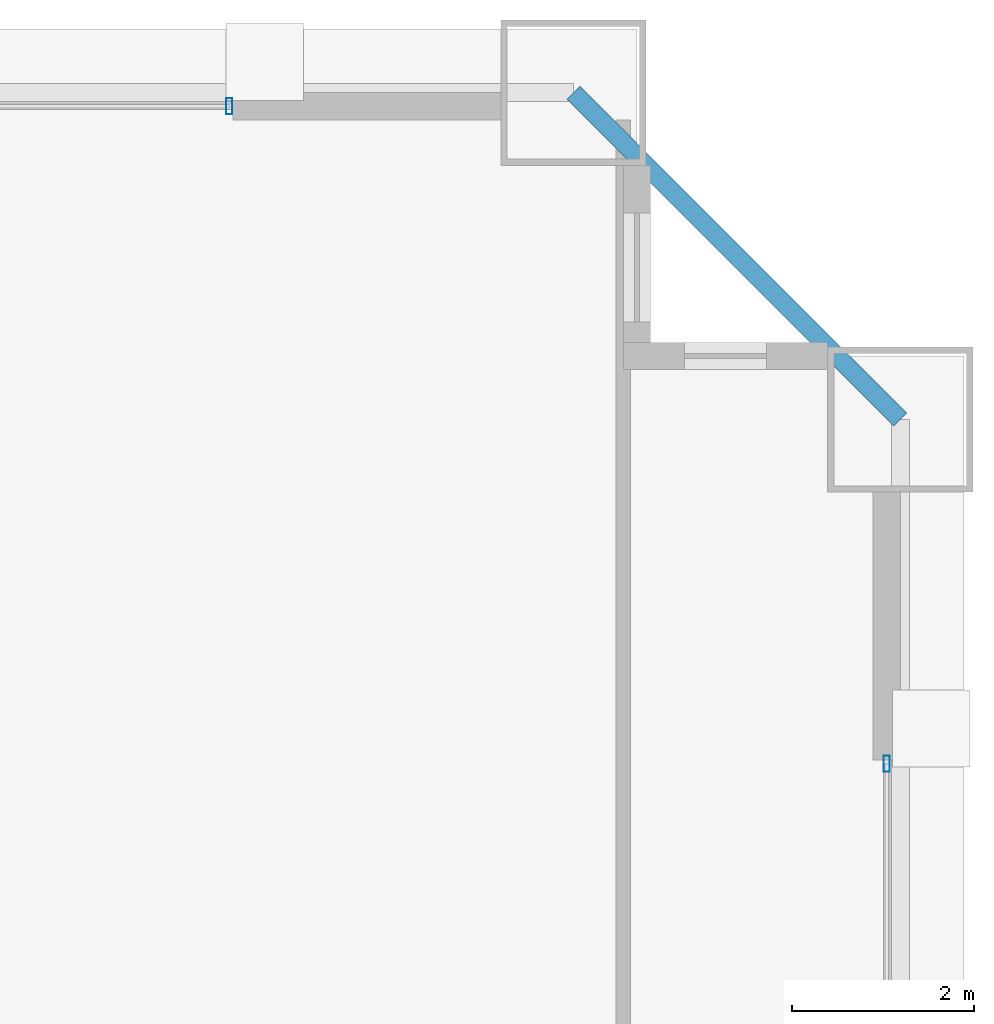
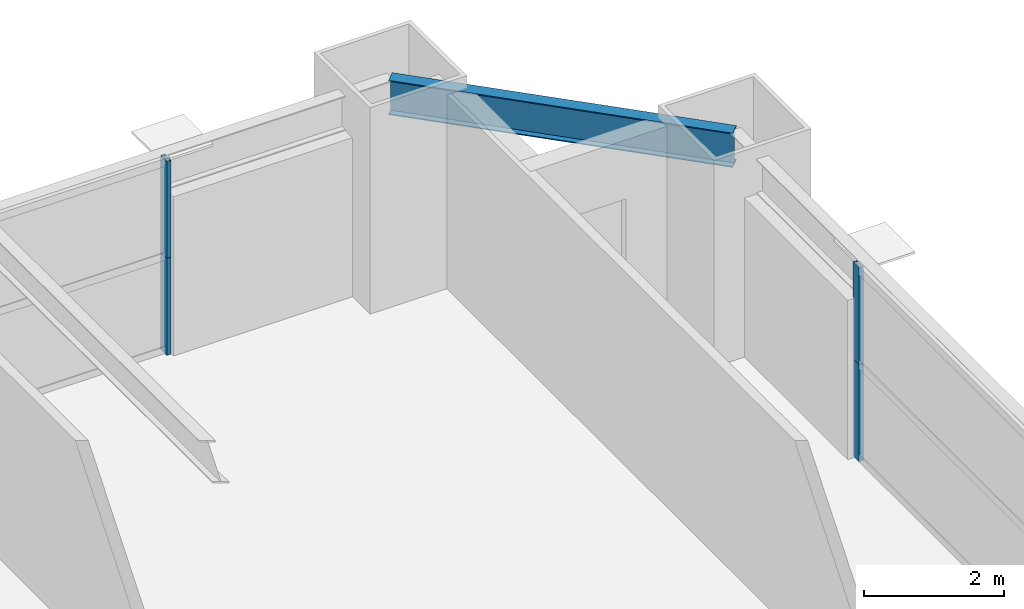
# One storey, part 32 of 38: 4 members, 1 beam, 2 elements without a shape of their own.
"""IFC4 building model written with IfcOpenShell, lengths in metres."""

from ifc_helpers import new_model, si_unit, direction, frame, origin, origin_2d, place, context, subcontext, project, spatial, hollow_rectangle, i_section, extrude, source, transform, mapped, material, layer, layer_set, material_profile, profile_set, type_object, element, aggregate, save


model = new_model("IFC4")

# Units and contexts
model_context = context("Model", 3, precision=1e-05, world=origin(), true_north=direction((0.0, 1.0)))
body_context = subcontext(model_context, "Body", "Model", "MODEL_VIEW")
ifc_project = project(units=[si_unit("LENGTHUNIT", "METRE"), si_unit("AREAUNIT", "SQUARE_METRE"), si_unit("VOLUMEUNIT", "CUBIC_METRE"), si_unit("PLANEANGLEUNIT", "RADIAN"), si_unit("MASSUNIT", "GRAM", prefix="KILO"), si_unit("THERMODYNAMICTEMPERATUREUNIT", "KELVIN"), si_unit("POWERUNIT", "WATT")], contexts=[model_context])

# Site, building, storey
site_placement = place(None, origin())
site = spatial("IfcSite", under=ifc_project, at=site_placement, CompositionType="ELEMENT")
building_placement = place(site_placement, origin())
building = spatial("IfcBuilding", under=site, at=building_placement, Name="Yuzanri Waterfront Tower", CompositionType="ELEMENT")
storey_placement = place(building_placement, frame((0.0, 0.0, 119.0)))
storey = spatial("IfcBuildingStorey", under=building, at=storey_placement, Name="L31", CompositionType="ELEMENT", Elevation=119.0)

# Beam
ifc_material_1 = material(Name="Steel Q355B", Category="steel")
ifc_material_profile_1 = material_profile(ifc_material_1, i_section(OverallWidth=0.199951171875, OverallDepth=0.60009765625, WebThickness=0.010986328125, FlangeThickness=0.01708984375, at=origin_2d()), Name="HN 600x200x11x17")
ifc_profile_set_1 = profile_set([ifc_material_profile_1], Name="Steel Q355B")
beam_type = type_object("IfcBeamType", Name="Perimeter Spandrel Q355B HN 600x200", PredefinedType="SPANDREL", material=ifc_profile_set_1)
shared_shape_1 = source(origin(), body_context, "Body", "SweptSolid", [
    extrude(i_section(OverallWidth=0.199951171875, OverallDepth=0.60009765625, WebThickness=0.010986328125, FlangeThickness=0.01708984375, at=origin_2d()), origin(), (0.0, 0.0, 1.0), 5.091064453125),
])
beam_placement = place(storey_placement, frame((60.60009765625, 45.800048828125, 3.080078125), z_axis=(-0.707130757816, 0.707082803744, 0.0), x_axis=(-0.707082803744, -0.707130757816, 0.0)))
element("IfcBeam", 1, at=beam_placement, inside=storey, type_object=beam_type, Name="L31 Perimeter Spandrel E3-N3", PredefinedType="SPANDREL", context=body_context, shape_type="MappedRepresentation", body=[
    mapped(shared_shape_1, transform((0.0, 0.0, 0.0), scale=1.0)),
])

# Curtain wall, members
ifc_material_2 = material(Name="Anodized Architectural Bronze", Category="metal")
ifc_layer = layer(ifc_material_2, 0.159912109375)
ifc_layer_set = layer_set([ifc_layer], Name="Anodized Architectural Bronze")
curtain_wall_type = type_object("IfcCurtainWallType", Name="Anodized Bronze Hotel Upper-Tier Solar-Control Unitized Curtain Wall 7800", PredefinedType="NOTDEFINED", material=ifc_layer_set)
curtain_wall_1_placement = place(storey_placement, origin())
curtain_wall_1 = element("IfcCurtainWall", 2, at=curtain_wall_1_placement, inside=storey, type_object=curtain_wall_type, Name="L31 Curtain Wall CW-L31-NR", PredefinedType="NOTDEFINED")
ifc_material_3 = material(Name="Anodized Architectural Bronze", Category="metal")
ifc_material_profile_2 = material_profile(ifc_material_3, hollow_rectangle(XDim=0.070068359375, YDim=0.179931640625, WallThickness=0.00390625, at=origin_2d()), Name="CWM 70x180")
ifc_profile_set_2 = profile_set([ifc_material_profile_2], Name="Anodized Architectural Bronze")
member_type = type_object("IfcMemberType", Name="Anodized Bronze Standard Curtain-Wall Mullion 70x180", PredefinedType="MULLION", material=ifc_profile_set_2)
shared_shape_2 = source(origin(), body_context, "Body", "SweptSolid", [
    extrude(hollow_rectangle(XDim=0.070068359375, YDim=0.179931640625, WallThickness=0.00390625, at=origin_2d()), origin(), (0.0, 0.0, 1.0), 1.68798828125),
])
member_1_placement = place(storey_placement, frame((53.2099609375, 49.25, 0.0), z_axis=(0.0, 0.0, 1.0), x_axis=(1.0, 0.0, 0.0)))
member_1 = element("IfcMember", 3, at=member_1_placement, type_object=member_type, Name="CW-L31-NR Lower Mullion 02", PredefinedType="MULLION", context=body_context, shape_type="MappedRepresentation", body=[
    mapped(shared_shape_2, transform((0.0, 0.0, 0.0), scale=1.0)),
])
member_2_placement = place(storey_placement, frame((53.2099609375, 49.25, 1.69189453125), z_axis=(0.0, 0.0, 1.0), x_axis=(1.0, 0.0, 0.0)))
member_2 = element("IfcMember", 4, at=member_2_placement, type_object=member_type, Name="CW-L31-NR Upper Mullion 02", PredefinedType="MULLION", context=body_context, shape_type="MappedRepresentation", body=[
    mapped(shared_shape_2, transform((0.0, 0.0, 0.0), scale=1.0)),
])
aggregate(curtain_wall_1, [member_1, member_2])

curtain_wall_2_placement = place(storey_placement, origin())
curtain_wall_2 = element("IfcCurtainWall", 5, at=curtain_wall_2_placement, inside=storey, type_object=curtain_wall_type, Name="L31 Curtain Wall CW-L31-ER", PredefinedType="NOTDEFINED")
member_3_placement = place(storey_placement, frame((60.449951171875, 42.010009765625, 0.0), z_axis=(0.0, 0.0, 1.0), x_axis=(1.0, 0.0, 0.0)))
member_3 = element("IfcMember", 6, at=member_3_placement, type_object=member_type, Name="CW-L31-ER Lower Mullion 02", PredefinedType="MULLION", context=body_context, shape_type="MappedRepresentation", body=[
    mapped(shared_shape_2, transform((0.0, 0.0, 0.0), scale=1.0)),
])
member_4_placement = place(storey_placement, frame((60.449951171875, 42.010009765625, 1.69189453125), z_axis=(0.0, 0.0, 1.0), x_axis=(1.0, 0.0, 0.0)))
member_4 = element("IfcMember", 7, at=member_4_placement, type_object=member_type, Name="CW-L31-ER Upper Mullion 02", PredefinedType="MULLION", context=body_context, shape_type="MappedRepresentation", body=[
    mapped(shared_shape_2, transform((0.0, 0.0, 0.0), scale=1.0)),
])
aggregate(curtain_wall_2, [member_3, member_4])

save(model, "model.ifc")
